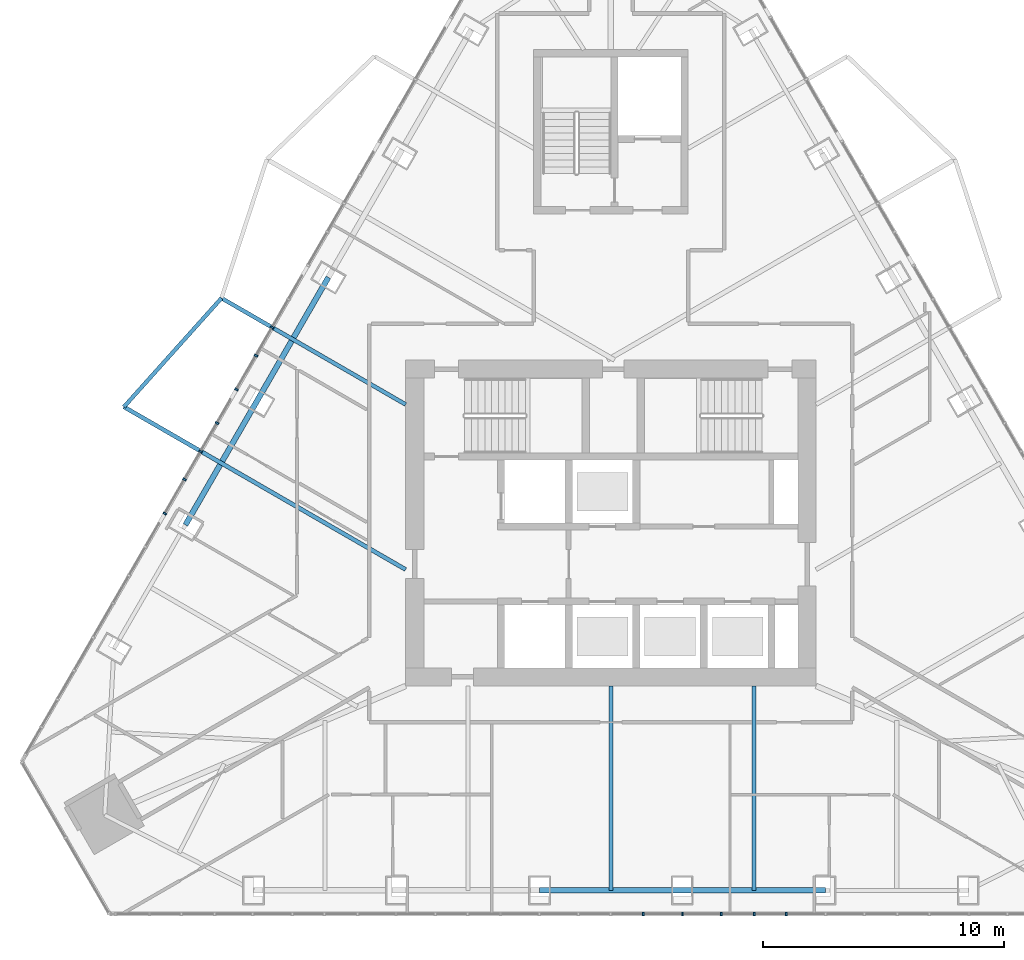
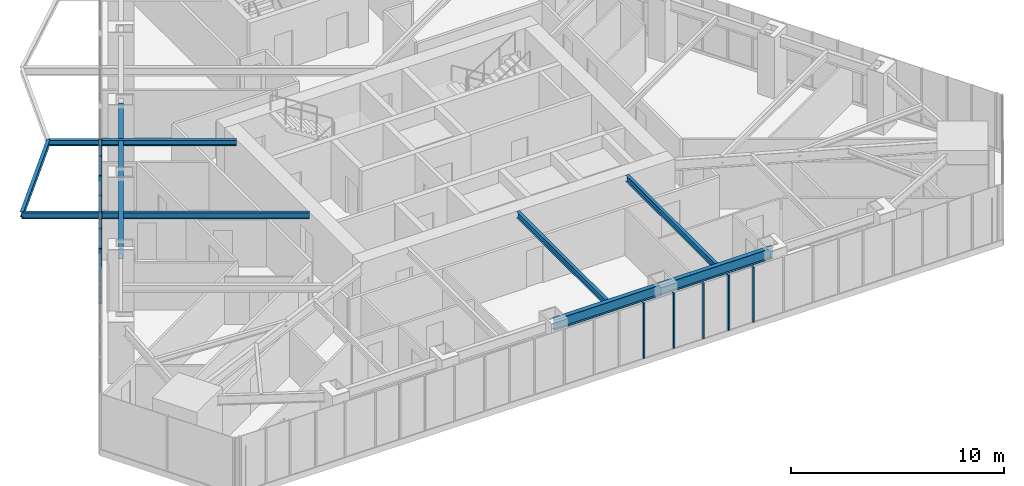
# One storey, part 4 of 19: 12 members, 7 beams, 2 elements without a shape of their own.
"""IFC4 building model written with IfcOpenShell, lengths in metres."""

from ifc_helpers import new_model, si_unit, direction, frame, origin, origin_2d, place, context, subcontext, project, spatial, rectangle, i_section, extrude, material, layer, layer_set, material_profile, profile_set, type_object, element, aggregate, save


model = new_model("IFC4")

# Units and contexts
model_context = context("Model", 3, precision=1e-05, world=origin(), true_north=direction((0.0, 1.0)))
body_context = subcontext(model_context, "Body", "Model", "MODEL_VIEW")
ifc_project = project(units=[si_unit("LENGTHUNIT", "METRE"), si_unit("AREAUNIT", "SQUARE_METRE"), si_unit("VOLUMEUNIT", "CUBIC_METRE"), si_unit("PLANEANGLEUNIT", "RADIAN"), si_unit("MASSUNIT", "GRAM", prefix="KILO")], contexts=[model_context])

# Site, building, storey
site_placement = place(None, origin())
site = spatial("IfcSite", under=ifc_project, at=site_placement, CompositionType="ELEMENT")
building_placement = place(site_placement, origin())
building = spatial("IfcBuilding", under=site, at=building_placement, Name="Firuza Gate Tower and Library", CompositionType="ELEMENT")
storey_placement = place(building_placement, frame((0.0, 0.0, 316.10009765625)))
storey = spatial("IfcBuildingStorey", under=building, at=storey_placement, Name="L77", CompositionType="ELEMENT", Elevation=316.10009765625)

# Curtain wall, members
ifc_material_1 = material(Name="Aluminium 6063-T6", Category="aluminium")
ifc_layer = layer(ifc_material_1, 0.14990234375)
ifc_layer_set = layer_set([ifc_layer], Name="Unitised curtain wall, residences")
curtain_wall_type = type_object("IfcCurtainWallType", Name="Unitised curtain wall, residences", PredefinedType="NOTDEFINED", material=ifc_layer_set)
placement = place(storey_placement, origin())
curtain_wall_1 = element("IfcCurtainWall", 1, at=placement, inside=storey, type_object=curtain_wall_type, Name="CW3 L77 S face", PredefinedType="NOTDEFINED")
ifc_material_2 = material(Name="Aluminium 6063-T6", Category="aluminium")
ifc_material_profile_1 = material_profile(ifc_material_2, rectangle(XDim=0.14990234375, YDim=0.080078125, at=origin_2d()))
ifc_profile_set_1 = profile_set([ifc_material_profile_1], Name="Aluminium 6063-T6")
member_type = type_object("IfcMemberType", Name="Curtain wall mullion 80x150", PredefinedType="MULLION", material=ifc_profile_set_1)
member_1_placement = place(storey_placement, frame((77.966064453125, 58.805419921875, 0.14990234375), z_axis=(0.0, 0.0, 1.0), x_axis=(0.0, 1.0, 0.0)))
member_1 = element("IfcMember", 2, at=member_1_placement, type_object=member_type, Name="Mullion", PredefinedType="MULLION", context=body_context, shape_type="SweptSolid", body=[
    extrude(rectangle(XDim=0.14990234375, YDim=0.080078125, at=origin_2d()), origin(), (0.0, 0.0, 1.0), 3.14990234375),
])
member_2_placement = place(storey_placement, frame((80.932373046875, 58.805419921875, 0.14990234375), z_axis=(0.0, 0.0, 1.0), x_axis=(0.0, 1.0, 0.0)))
member_2 = element("IfcMember", 3, at=member_2_placement, type_object=member_type, Name="Mullion", PredefinedType="MULLION", context=body_context, shape_type="SweptSolid", body=[
    extrude(rectangle(XDim=0.14990234375, YDim=0.080078125, at=origin_2d()), origin(), (0.0, 0.0, 1.0), 3.14990234375),
])
member_3_placement = place(storey_placement, frame((76.348876953125, 58.805419921875, 0.14990234375), z_axis=(0.0, 0.0, 1.0), x_axis=(0.0, 1.0, 0.0)))
member_3 = element("IfcMember", 4, at=member_3_placement, type_object=member_type, Name="Mullion", PredefinedType="MULLION", context=body_context, shape_type="SweptSolid", body=[
    extrude(rectangle(XDim=0.14990234375, YDim=0.080078125, at=origin_2d()), origin(), (0.0, 0.0, 1.0), 3.14990234375),
])
member_4_placement = place(storey_placement, frame((79.571044921875, 58.805419921875, 0.14990234375), z_axis=(0.0, 0.0, 1.0), x_axis=(0.0, 1.0, 0.0)))
member_4 = element("IfcMember", 5, at=member_4_placement, type_object=member_type, Name="Mullion", PredefinedType="MULLION", context=body_context, shape_type="SweptSolid", body=[
    extrude(rectangle(XDim=0.14990234375, YDim=0.080078125, at=origin_2d()), origin(), (0.0, 0.0, 1.0), 3.14990234375),
])
member_5_placement = place(storey_placement, frame((82.268798828125, 58.805419921875, 0.14990234375), z_axis=(0.0, 0.0, 1.0), x_axis=(0.0, 1.0, 0.0)))
member_5 = element("IfcMember", 6, at=member_5_placement, type_object=member_type, Name="Mullion", PredefinedType="MULLION", context=body_context, shape_type="SweptSolid", body=[
    extrude(rectangle(XDim=0.14990234375, YDim=0.080078125, at=origin_2d()), origin(), (0.0, 0.0, 1.0), 3.14990234375),
])
aggregate(curtain_wall_1, [member_1, member_2, member_3, member_4, member_5])

curtain_wall_2 = element("IfcCurtainWall", 7, at=placement, inside=storey, type_object=curtain_wall_type, Name="CW3 L77 W face", PredefinedType="NOTDEFINED")
member_6_placement = place(storey_placement, frame((60.97509765625, 83.097412109375, 0.14990234375), z_axis=(0.0, 0.0, 1.0), x_axis=(0.866025403784, -0.5, 0.0)))
member_6 = element("IfcMember", 8, at=member_6_placement, type_object=member_type, Name="Mullion", PredefinedType="MULLION", context=body_context, shape_type="SweptSolid", body=[
    extrude(rectangle(XDim=0.14990234375, YDim=0.080078125, at=origin_2d()), origin(), (0.0, 0.0, 1.0), 3.14990234375),
])
member_7_placement = place(storey_placement, frame((59.491943359375, 80.528564453125, 0.14990234375), z_axis=(0.0, 0.0, 1.0), x_axis=(0.866025403784, -0.5, 0.0)))
member_7 = element("IfcMember", 9, at=member_7_placement, type_object=member_type, Name="Mullion", PredefinedType="MULLION", context=body_context, shape_type="SweptSolid", body=[
    extrude(rectangle(XDim=0.14990234375, YDim=0.080078125, at=origin_2d()), origin(), (0.0, 0.0, 1.0), 3.14990234375),
])
member_8_placement = place(storey_placement, frame((58.0087890625, 77.959716796875, 0.14990234375), z_axis=(0.0, 0.0, 1.0), x_axis=(0.866025403784, -0.5, 0.0)))
member_8 = element("IfcMember", 10, at=member_8_placement, type_object=member_type, Name="Mullion", PredefinedType="MULLION", context=body_context, shape_type="SweptSolid", body=[
    extrude(rectangle(XDim=0.14990234375, YDim=0.080078125, at=origin_2d()), origin(), (0.0, 0.0, 1.0), 3.14990234375),
])
member_9_placement = place(storey_placement, frame((56.52587890625, 75.390869140625, 0.14990234375), z_axis=(0.0, 0.0, 1.0), x_axis=(0.866025403784, -0.5, 0.0)))
member_9 = element("IfcMember", 11, at=member_9_placement, type_object=member_type, Name="Mullion", PredefinedType="MULLION", context=body_context, shape_type="SweptSolid", body=[
    extrude(rectangle(XDim=0.14990234375, YDim=0.080078125, at=origin_2d()), origin(), (0.0, 0.0, 1.0), 3.14990234375),
])
member_10_placement = place(storey_placement, frame((60.300537109375, 81.92919921875, 0.14990234375), z_axis=(0.0, 0.0, 1.0), x_axis=(0.866025403784, -0.5, 0.0)))
member_10 = element("IfcMember", 12, at=member_10_placement, type_object=member_type, Name="Mullion", PredefinedType="MULLION", context=body_context, shape_type="SweptSolid", body=[
    extrude(rectangle(XDim=0.14990234375, YDim=0.080078125, at=origin_2d()), origin(), (0.0, 0.0, 1.0), 3.14990234375),
])
member_11_placement = place(storey_placement, frame((58.689453125, 79.138671875, 0.14990234375), z_axis=(0.0, 0.0, 1.0), x_axis=(0.866025403784, -0.5, 0.0)))
member_11 = element("IfcMember", 13, at=member_11_placement, type_object=member_type, Name="Mullion", PredefinedType="MULLION", context=body_context, shape_type="SweptSolid", body=[
    extrude(rectangle(XDim=0.14990234375, YDim=0.080078125, at=origin_2d()), origin(), (0.0, 0.0, 1.0), 3.14990234375),
])
member_12_placement = place(storey_placement, frame((57.340576171875, 76.80224609375, 0.14990234375), z_axis=(0.0, 0.0, 1.0), x_axis=(0.866025403784, -0.5, 0.0)))
member_12 = element("IfcMember", 14, at=member_12_placement, type_object=member_type, Name="Mullion", PredefinedType="MULLION", context=body_context, shape_type="SweptSolid", body=[
    extrude(rectangle(XDim=0.14990234375, YDim=0.080078125, at=origin_2d()), origin(), (0.0, 0.0, 1.0), 3.14990234375),
])
aggregate(curtain_wall_2, [member_6, member_7, member_8, member_9, member_10, member_11, member_12])

# Beams
ifc_material_3 = material(Name="Steel S355", Category="steel")
ifc_material_profile_2 = material_profile(ifc_material_3, i_section(OverallWidth=0.1650390625, OverallDepth=0.31005859375, WebThickness=0.005859375, FlangeThickness=0.009765625, at=origin_2d()))
ifc_profile_set_2 = profile_set([ifc_material_profile_2], Name="Steel S355")
beam_type_1 = type_object("IfcBeamType", Name="W310x39 Floor beam", PredefinedType="JOIST", material=ifc_profile_set_2)
beam_1_placement = place(storey_placement, frame((58.872314453125, 84.311279296875, 3.14501953125), z_axis=(0.866027257721, -0.499996788874, 0.0), x_axis=(0.499996788874, 0.866027257721, 0.0)))
element("IfcBeam", 15, at=beam_1_placement, inside=storey, type_object=beam_type_1, Name="Floor beam L77 s82", PredefinedType="JOIST", context=body_context, shape_type="SweptSolid", body=[
    extrude(i_section(OverallWidth=0.1650390625, OverallDepth=0.31005859375, WebThickness=0.005859375, FlangeThickness=0.009765625, at=origin_2d()), origin(), (0.0, 0.0, 1.0), 8.8076171875),
])
beam_2_placement = place(storey_placement, frame((58.872314453125, 84.311279296875, 3.14501953125), z_axis=(-0.667750967308, -0.744384743033, 0.0), x_axis=(0.744384743033, -0.667750967308, 0.0)))
element("IfcBeam", 16, at=beam_2_placement, inside=storey, type_object=beam_type_1, Name="Tray edge beam L77 s82-s83", PredefinedType="JOIST", context=body_context, shape_type="SweptSolid", body=[
    extrude(i_section(OverallWidth=0.1650390625, OverallDepth=0.31005859375, WebThickness=0.005859375, FlangeThickness=0.009765625, at=origin_2d()), origin(), (0.0, 0.0, 1.0), 6.0498046875),
])
ifc_material_4 = material(Name="Steel S355", Category="steel")
ifc_material_profile_3 = material_profile(ifc_material_4, i_section(OverallWidth=0.1708984375, OverallDepth=0.35498046875, WebThickness=0.007080078125, FlangeThickness=0.01171875, at=origin_2d()))
ifc_profile_set_3 = profile_set([ifc_material_profile_3], Name="Steel S355")
beam_type_2 = type_object("IfcBeamType", Name="W360x51 Floor beam", PredefinedType="JOIST", material=ifc_profile_set_3)
for number, where, z_axis, x_axis, name in (
    (17, (75.0, 59.7802734375, 3.122314453125), (0.0, 1.0, 0.0), (-1.0, 0.0, 0.0), "Floor beam L77 s22"),
    (18, (80.919921875, 59.7802734375, 3.122314453125), (0.0, 1.0, 0.0), (-1.0, 0.0, 0.0), "Floor beam L77 s23"),
):
    element("IfcBeam", number, at=place(storey_placement, frame(where, z_axis=z_axis, x_axis=x_axis)), inside=storey, type_object=beam_type_2, Name=name, PredefinedType="JOIST", context=body_context, shape_type="SweptSolid", body=[
        extrude(i_section(OverallWidth=0.1708984375, OverallDepth=0.35498046875, WebThickness=0.007080078125, FlangeThickness=0.01171875, at=origin_2d()), origin(), (0.0, 0.0, 1.0), 8.4697265625),
    ])
beam_3_placement = place(storey_placement, frame((54.83251953125, 79.807861328125, 3.122314453125), z_axis=(0.866022024655, -0.500005852778, 0.0), x_axis=(0.500005852778, 0.866022024655, 0.0)))
element("IfcBeam", 19, at=beam_3_placement, inside=storey, type_object=beam_type_2, Name="Floor beam L77 s83", PredefinedType="JOIST", context=body_context, shape_type="SweptSolid", body=[
    extrude(i_section(OverallWidth=0.1708984375, OverallDepth=0.35498046875, WebThickness=0.007080078125, FlangeThickness=0.01171875, at=origin_2d()), origin(), (0.0, 0.0, 1.0), 13.472412109375),
])
ifc_material_5 = material(Name="Steel S355", Category="steel")
ifc_material_profile_4 = material_profile(ifc_material_5, i_section(OverallWidth=0.22900390625, OverallDepth=0.612060546875, WebThickness=0.011962890625, FlangeThickness=0.01953125, at=origin_2d()))
ifc_profile_set_4 = profile_set([ifc_material_profile_4], Name="Steel S355")
beam_type_3 = type_object("IfcBeamType", Name="W610x125 Edge beam", PredefinedType="SPANDREL", material=ifc_profile_set_4)
beam_4_placement = place(storey_placement, frame((72.0400390625, 59.7802734375, 2.993896484375), z_axis=(1.0, 0.0, 0.0), x_axis=(0.0, 1.0, 0.0)))
element("IfcBeam", 20, at=beam_4_placement, inside=storey, type_object=beam_type_3, Name="Edge beam L77 e22", PredefinedType="SPANDREL", context=body_context, shape_type="SweptSolid", body=[
    extrude(i_section(OverallWidth=0.22900390625, OverallDepth=0.612060546875, WebThickness=0.011962890625, FlangeThickness=0.01953125, at=origin_2d()), origin(), (0.0, 0.0, 1.0), 11.83984375),
])
beam_5_placement = place(storey_placement, frame((63.29931640625, 85.17333984375, 2.993896484375), z_axis=(-0.499988999718, -0.866031754707, 0.0), x_axis=(0.866031754707, -0.499988999718, 0.0)))
element("IfcBeam", 21, at=beam_5_placement, inside=storey, type_object=beam_type_3, Name="Edge beam L77 e82", PredefinedType="SPANDREL", context=body_context, shape_type="SweptSolid", body=[
    extrude(i_section(OverallWidth=0.22900390625, OverallDepth=0.612060546875, WebThickness=0.011962890625, FlangeThickness=0.01953125, at=origin_2d()), origin(), (0.0, 0.0, 1.0), 11.840087890625),
])

save(model, "model.ifc")
